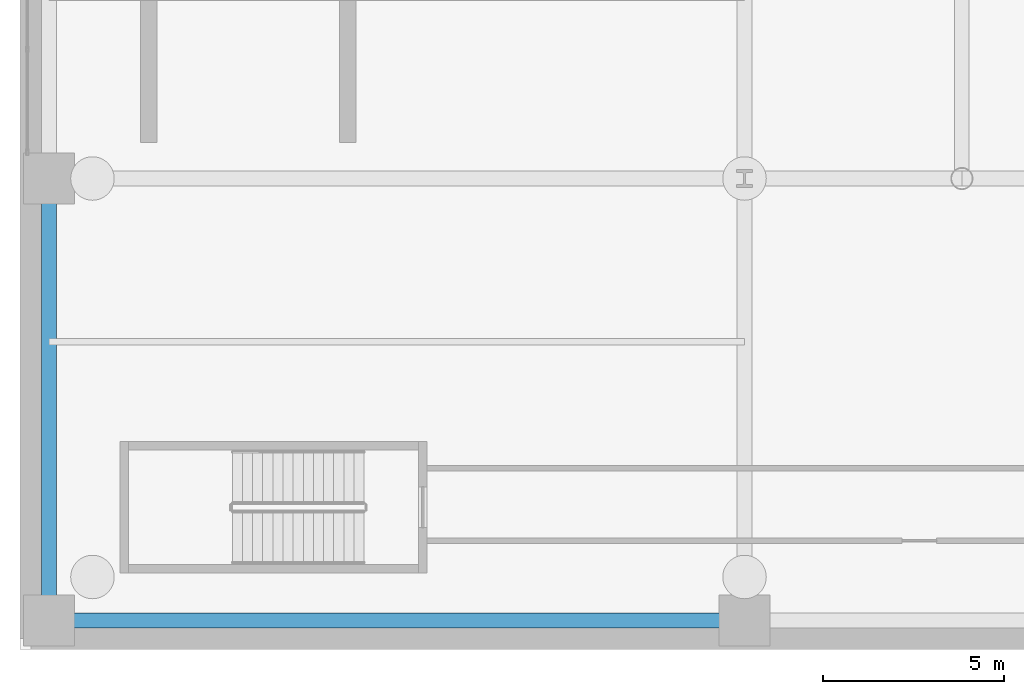
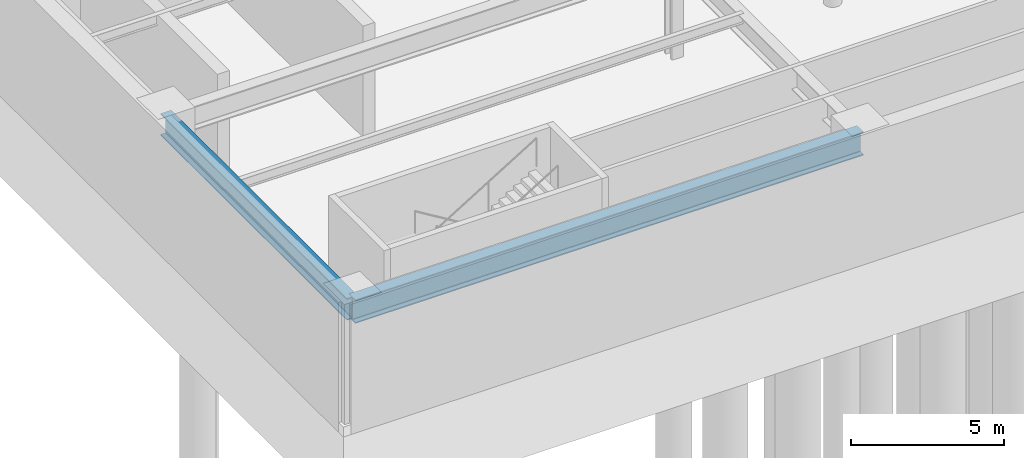
# One storey, part 5 of 25: 2 beams.
"""IFC4 building model written with IfcOpenShell, lengths in metres."""

from ifc_helpers import new_model, si_unit, direction, frame, origin, origin_2d, place, context, subcontext, project, spatial, i_section, extrude, material, material_profile, profile_set, type_object, element, save


model = new_model("IFC4")

# Units and contexts
model_context = context("Model", 3, precision=1e-05, world=origin(), true_north=direction((0.0, 1.0)))
body_context = subcontext(model_context, "Body", "Model", "MODEL_VIEW")
ifc_project = project(units=[si_unit("LENGTHUNIT", "METRE"), si_unit("AREAUNIT", "SQUARE_METRE"), si_unit("VOLUMEUNIT", "CUBIC_METRE"), si_unit("PLANEANGLEUNIT", "RADIAN"), si_unit("MASSUNIT", "GRAM", prefix="KILO")], contexts=[model_context])

# Site, building, storey
site_placement = place(None, origin())
site = spatial("IfcSite", under=ifc_project, at=site_placement, CompositionType="ELEMENT")
building_placement = place(site_placement, origin())
building = spatial("IfcBuilding", under=site, at=building_placement, Name="Soratama Intermodal Tower", CompositionType="ELEMENT")
storey_placement = place(building_placement, frame((0.0, 0.0, -10.199951171875)))
storey = spatial("IfcBuildingStorey", under=building, at=storey_placement, Name="B2", CompositionType="ELEMENT", Elevation=-10.199951171875)

# Beams
ifc_material_1 = material(Name="Structural steel ASTM A992 Grade 50", Category="steel")
ifc_material_profile_1 = material_profile(ifc_material_1, i_section(OverallWidth=0.403076171875, OverallDepth=0.867919921875, WebThickness=0.02099609375, FlangeThickness=0.03564453125, FilletRadius=0.01806640625, at=origin_2d()), Name="W33X241")
ifc_profile_set_1 = profile_set([ifc_material_profile_1], Name="Structural steel ASTM A992 Grade 50")
beam_type_1 = type_object("IfcBeamType", Name="BM-POD-EXT-W33", PredefinedType="BEAM", material=ifc_profile_set_1)
beam_1_placement = place(storey_placement, frame((0.800048828125, 2.800048828125, 4.005859375), z_axis=(0.0, 1.0, 0.0), x_axis=(-1.0, 0.0, 0.0)))
element("IfcBeam", 1, at=beam_1_placement, inside=storey, type_object=beam_type_1, Name="B2 Station Girder Y1-1", PredefinedType="BEAM", context=body_context, shape_type="SweptSolid", body=[
    extrude(i_section(OverallWidth=0.403076171875, OverallDepth=0.867919921875, WebThickness=0.02099609375, FlangeThickness=0.03564453125, FilletRadius=0.01806640625, at=origin_2d()), origin(), (0.0, 0.0, 1.0), 12.199951171875),
])
ifc_material_2 = material(Name="Structural steel ASTM A992 Grade 50", Category="steel")
ifc_material_profile_2 = material_profile(ifc_material_2, i_section(OverallWidth=0.423095703125, OverallDepth=0.93896484375, WebThickness=0.02392578125, FlangeThickness=0.042724609375, FilletRadius=0.02392578125, at=origin_2d()), Name="W36X302")
ifc_profile_set_2 = profile_set([ifc_material_profile_2], Name="Structural steel ASTM A992 Grade 50")
beam_type_2 = type_object("IfcBeamType", Name="BM-POD-EXT-W36", PredefinedType="BEAM", material=ifc_profile_set_2)
beam_2_placement = place(storey_placement, frame((0.800048828125, 2.800048828125, 3.970458984375), z_axis=(1.0, 0.0, 0.0), x_axis=(0.0, 1.0, 0.0)))
element("IfcBeam", 2, at=beam_2_placement, inside=storey, type_object=beam_type_2, Name="B2 Station Girder X1-1", PredefinedType="BEAM", context=body_context, shape_type="SweptSolid", body=[
    extrude(i_section(OverallWidth=0.423095703125, OverallDepth=0.93896484375, WebThickness=0.02392578125, FlangeThickness=0.042724609375, FilletRadius=0.02392578125, at=origin_2d()), origin(), (0.0, 0.0, 1.0), 19.199951171875),
])

save(model, "model.ifc")
